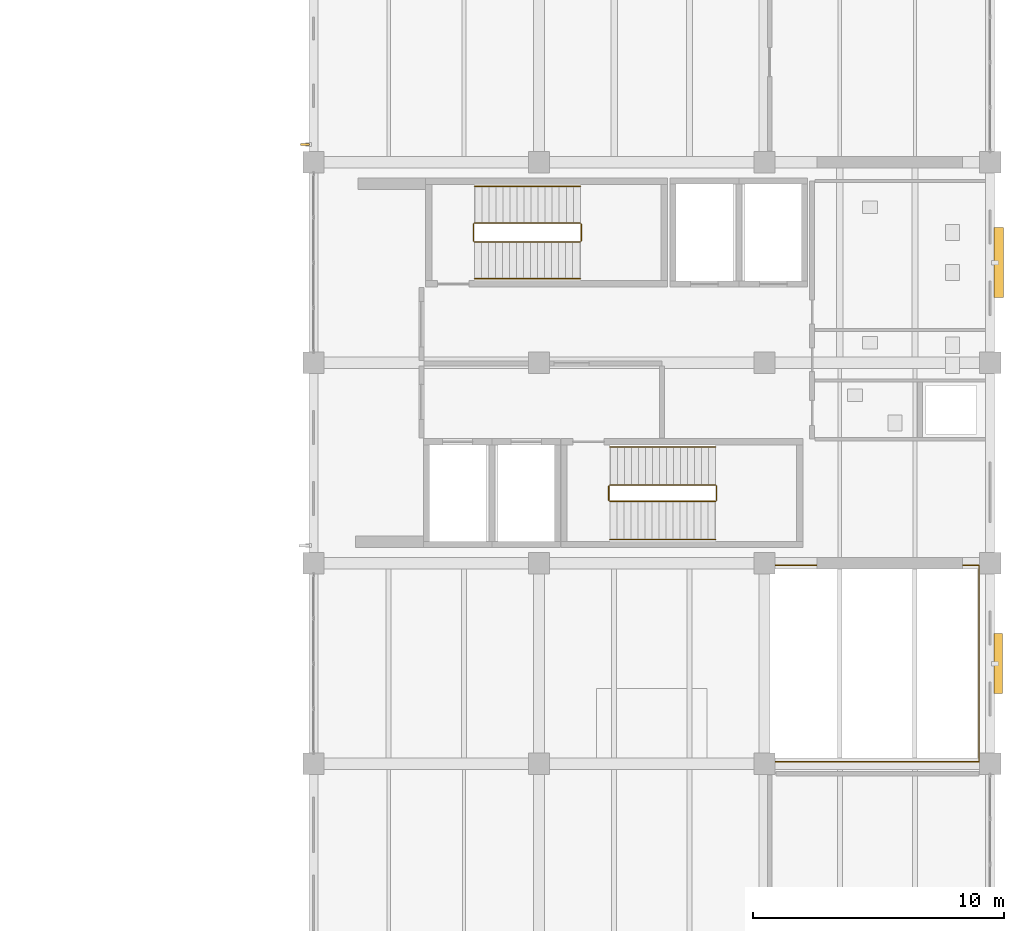
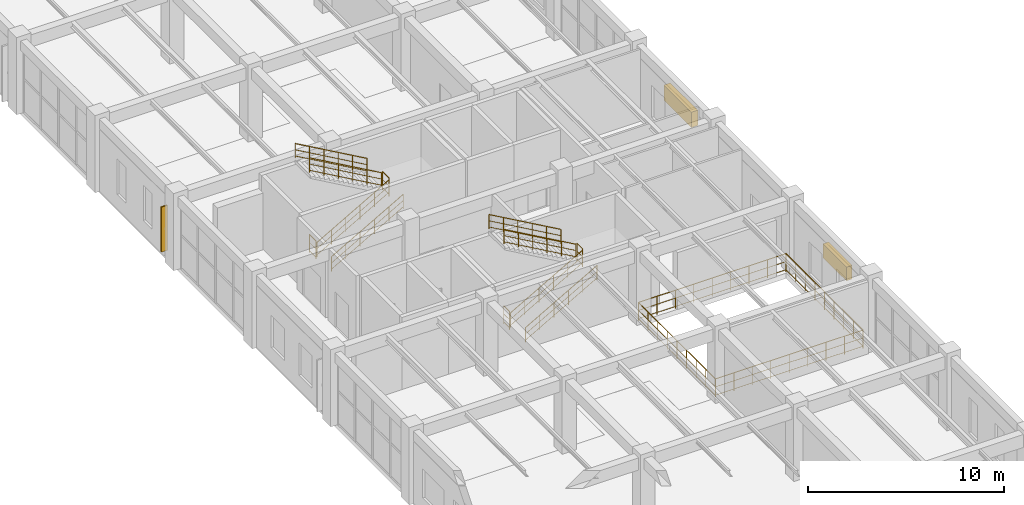
# One storey, part 176 of 178: 13 railings, 3 shading devices.
"""IFC4 building model written with IfcOpenShell, lengths in metres."""

from ifc_helpers import new_model, si_unit, derived_unit, direction, frame, origin, origin_2d, place, context, subcontext, project, spatial, rectangle, circle, extrude, material, layer, layer_set, type_object, element, save


model = new_model("IFC4")

# Units and contexts
model_context = context("Model", 3, precision=1e-05, world=origin(), true_north=direction((0.0, 1.0)))
body_context = subcontext(model_context, "Body", "Model", "MODEL_VIEW")
ifc_project = project(units=[si_unit("LENGTHUNIT", "METRE"), si_unit("AREAUNIT", "SQUARE_METRE"), si_unit("VOLUMEUNIT", "CUBIC_METRE"), si_unit("PLANEANGLEUNIT", "RADIAN"), si_unit("MASSUNIT", "GRAM", prefix="KILO"), derived_unit("THERMALTRANSMITTANCEUNIT", [(si_unit("MASSUNIT", "GRAM", prefix="KILO"), 1), (si_unit("TIMEUNIT", "SECOND"), -3), (si_unit("THERMODYNAMICTEMPERATUREUNIT", "KELVIN"), -1)])], contexts=[model_context])

# Site, building, storey
site_placement = place(None, origin())
site = spatial("IfcSite", under=ifc_project, at=site_placement, CompositionType="ELEMENT")
building_placement = place(site_placement, origin())
building = spatial("IfcBuilding", under=site, at=building_placement, Name="Zhenchuan Archway Interchange", CompositionType="ELEMENT")
storey_placement = place(building_placement, frame((0.0, 0.0, 5.39990234375)))
storey = spatial("IfcBuildingStorey", under=building, at=storey_placement, Name="L01", CompositionType="ELEMENT", Elevation=5.39990234375)

# Railings
ifc_material_1 = material(Name="Stainless Steel 316", Category="steel")
ifc_layer = layer(ifc_material_1, 0.070068359375)
ifc_layer_set = layer_set([ifc_layer], Name="Stainless Steel 316")
railing_type_1 = type_object("IfcRailingType", Name="RL_BALUSTRADE_1150", PredefinedType="BALUSTRADE", material=ifc_layer_set)
railing_placement = place(storey_placement, frame((170.56005859375, 40.080078125, 0.0)))
element("IfcRailing", 1, at=railing_placement, inside=storey, type_object=railing_type_1, Name="East operations lobby mezzanine balustrade L01", PredefinedType="BALUSTRADE", context=body_context, shape_type="SweptSolid", body=[
    extrude(circle(Radius=0.02392578125, at=origin_2d()), frame((0.0, 0.0, 1.1259765625), z_axis=(-1.0, 0.0, 0.0), x_axis=(0.0, -1.0, 0.0)), (0.0, 0.0, 1.0), 8.68017578125),
    extrude(circle(Radius=0.01611328125, at=origin_2d()), frame((0.0, 0.0, 0.63232421875), z_axis=(-1.0, 0.0, 0.0), x_axis=(0.0, -1.0, 0.0)), (0.0, 0.0, 1.0), 8.68017578125),
    extrude(circle(Radius=0.01611328125, at=origin_2d()), frame((0.0, 0.0, 0.1201171875), z_axis=(-1.0, 0.0, 0.0), x_axis=(0.0, -1.0, 0.0)), (0.0, 0.0, 1.0), 8.68017578125),
    extrude(circle(Radius=0.02392578125, at=origin_2d()), frame((-8.68017578125, 0.0, 1.1259765625), z_axis=(0.0, 1.0, 0.0), x_axis=(-1.0, 0.0, 0.0)), (0.0, 0.0, 1.0), 7.83984375),
    extrude(circle(Radius=0.01611328125, at=origin_2d()), frame((-8.68017578125, 0.0, 0.63232421875), z_axis=(0.0, 1.0, 0.0), x_axis=(-1.0, 0.0, 0.0)), (0.0, 0.0, 1.0), 7.83984375),
    extrude(circle(Radius=0.01611328125, at=origin_2d()), frame((-8.68017578125, 0.0, 0.1201171875), z_axis=(0.0, 1.0, 0.0), x_axis=(-1.0, 0.0, 0.0)), (0.0, 0.0, 1.0), 7.83984375),
    extrude(circle(Radius=0.02392578125, at=origin_2d()), frame((-8.68017578125, 7.83984375, 1.1259765625), z_axis=(1.0, 0.0, 0.0), x_axis=(0.0, 1.0, 0.0)), (0.0, 0.0, 1.0), 8.68017578125),
    extrude(circle(Radius=0.01611328125, at=origin_2d()), frame((-8.68017578125, 7.83984375, 0.63232421875), z_axis=(1.0, 0.0, 0.0), x_axis=(0.0, 1.0, 0.0)), (0.0, 0.0, 1.0), 8.68017578125),
    extrude(circle(Radius=0.01611328125, at=origin_2d()), frame((-8.68017578125, 7.83984375, 0.1201171875), z_axis=(1.0, 0.0, 0.0), x_axis=(0.0, 1.0, 0.0)), (0.0, 0.0, 1.0), 8.68017578125),
    extrude(circle(Radius=0.02392578125, at=origin_2d()), frame((0.0, 7.83984375, 1.1259765625), z_axis=(0.0, -1.0, 0.0), x_axis=(1.0, 0.0, 0.0)), (0.0, 0.0, 1.0), 7.83984375),
    extrude(circle(Radius=0.01611328125, at=origin_2d()), frame((0.0, 7.83984375, 0.63232421875), z_axis=(0.0, -1.0, 0.0), x_axis=(1.0, 0.0, 0.0)), (0.0, 0.0, 1.0), 7.83984375),
    extrude(circle(Radius=0.01611328125, at=origin_2d()), frame((0.0, 7.83984375, 0.1201171875), z_axis=(0.0, -1.0, 0.0), x_axis=(1.0, 0.0, 0.0)), (0.0, 0.0, 1.0), 7.83984375),
    extrude(circle(Radius=0.02099609375, at=origin_2d()), origin(), (0.0, 0.0, 1.0), 1.1259765625),
    extrude(circle(Radius=0.02099609375, at=origin_2d()), frame((-1.0849609375, 0.0, 0.0)), (0.0, 0.0, 1.0), 1.1259765625),
    extrude(circle(Radius=0.02099609375, at=origin_2d()), frame((-2.169921875, 0.0, 0.0)), (0.0, 0.0, 1.0), 1.1259765625),
    extrude(circle(Radius=0.02099609375, at=origin_2d()), frame((-3.255126953125, 0.0, 0.0)), (0.0, 0.0, 1.0), 1.1259765625),
    extrude(circle(Radius=0.02099609375, at=origin_2d()), frame((-4.340087890625, 0.0, 0.0)), (0.0, 0.0, 1.0), 1.1259765625),
    extrude(circle(Radius=0.02099609375, at=origin_2d()), frame((-5.425048828125, 0.0, 0.0)), (0.0, 0.0, 1.0), 1.1259765625),
    extrude(circle(Radius=0.02099609375, at=origin_2d()), frame((-6.51025390625, 0.0, 0.0)), (0.0, 0.0, 1.0), 1.1259765625),
    extrude(circle(Radius=0.02099609375, at=origin_2d()), frame((-7.59521484375, 0.0, 0.0)), (0.0, 0.0, 1.0), 1.1259765625),
    extrude(circle(Radius=0.02099609375, at=origin_2d()), frame((-8.68017578125, 0.0, 0.0)), (0.0, 0.0, 1.0), 1.1259765625),
    extrude(circle(Radius=0.02099609375, at=origin_2d()), frame((-8.68017578125, 0.97998046875, 0.0)), (0.0, 0.0, 1.0), 1.1259765625),
    extrude(circle(Radius=0.02099609375, at=origin_2d()), frame((-8.68017578125, 1.9599609375, 0.0)), (0.0, 0.0, 1.0), 1.1259765625),
    extrude(circle(Radius=0.02099609375, at=origin_2d()), frame((-8.68017578125, 2.93994140625, 0.0)), (0.0, 0.0, 1.0), 1.1259765625),
    extrude(circle(Radius=0.02099609375, at=origin_2d()), frame((-8.68017578125, 3.919921875, 0.0)), (0.0, 0.0, 1.0), 1.1259765625),
    extrude(circle(Radius=0.02099609375, at=origin_2d()), frame((-8.68017578125, 4.89990234375, 0.0)), (0.0, 0.0, 1.0), 1.1259765625),
    extrude(circle(Radius=0.02099609375, at=origin_2d()), frame((-8.68017578125, 5.8798828125, 0.0)), (0.0, 0.0, 1.0), 1.1259765625),
    extrude(circle(Radius=0.02099609375, at=origin_2d()), frame((-8.68017578125, 6.85986328125, 0.0)), (0.0, 0.0, 1.0), 1.1259765625),
    extrude(circle(Radius=0.02099609375, at=origin_2d()), frame((-8.68017578125, 7.83984375, 0.0)), (0.0, 0.0, 1.0), 1.1259765625),
    extrude(circle(Radius=0.02099609375, at=origin_2d()), frame((-7.59521484375, 7.83984375, 0.0)), (0.0, 0.0, 1.0), 1.1259765625),
    extrude(circle(Radius=0.02099609375, at=origin_2d()), frame((-6.51025390625, 7.83984375, 0.0)), (0.0, 0.0, 1.0), 1.1259765625),
    extrude(circle(Radius=0.02099609375, at=origin_2d()), frame((-5.425048828125, 7.83984375, 0.0)), (0.0, 0.0, 1.0), 1.1259765625),
    extrude(circle(Radius=0.02099609375, at=origin_2d()), frame((-4.340087890625, 7.83984375, 0.0)), (0.0, 0.0, 1.0), 1.1259765625),
    extrude(circle(Radius=0.02099609375, at=origin_2d()), frame((-3.255126953125, 7.83984375, 0.0)), (0.0, 0.0, 1.0), 1.1259765625),
    extrude(circle(Radius=0.02099609375, at=origin_2d()), frame((-2.169921875, 7.83984375, 0.0)), (0.0, 0.0, 1.0), 1.1259765625),
    extrude(circle(Radius=0.02099609375, at=origin_2d()), frame((-1.0849609375, 7.83984375, 0.0)), (0.0, 0.0, 1.0), 1.1259765625),
    extrude(circle(Radius=0.02099609375, at=origin_2d()), frame((0.0, 7.83984375, 0.0)), (0.0, 0.0, 1.0), 1.1259765625),
    extrude(circle(Radius=0.02099609375, at=origin_2d()), frame((0.0, 6.85986328125, 0.0)), (0.0, 0.0, 1.0), 1.1259765625),
    extrude(circle(Radius=0.02099609375, at=origin_2d()), frame((0.0, 5.8798828125, 0.0)), (0.0, 0.0, 1.0), 1.1259765625),
    extrude(circle(Radius=0.02099609375, at=origin_2d()), frame((0.0, 4.89990234375, 0.0)), (0.0, 0.0, 1.0), 1.1259765625),
    extrude(circle(Radius=0.02099609375, at=origin_2d()), frame((0.0, 3.919921875, 0.0)), (0.0, 0.0, 1.0), 1.1259765625),
    extrude(circle(Radius=0.02099609375, at=origin_2d()), frame((0.0, 2.93994140625, 0.0)), (0.0, 0.0, 1.0), 1.1259765625),
    extrude(circle(Radius=0.02099609375, at=origin_2d()), frame((0.0, 1.9599609375, 0.0)), (0.0, 0.0, 1.0), 1.1259765625),
    extrude(circle(Radius=0.02099609375, at=origin_2d()), frame((0.0, 0.97998046875, 0.0)), (0.0, 0.0, 1.0), 1.1259765625),
])
ifc_material_2 = material(Name="Painted Galvanised Steel", Category="steel")
railing_type_2 = type_object("IfcRailingType", Name="RL_GUARD_1150", PredefinedType="GUARDRAIL", material=ifc_material_2)
for number, where, name in (
    (2, (154.68505859375, 60.864990234375, 2.400146484375), "Stair ST-O1 half-landing slot guard (L01)"),
    (3, (150.385009765625, 60.864990234375, 0.0), "Stair ST-O1 floor well guard (L01)"),
):
    element("IfcRailing", number, at=place(storey_placement, frame(where)), inside=storey, type_object=railing_type_2, Name=name, PredefinedType="GUARDRAIL", context=body_context, shape_type="SweptSolid", body=[
        extrude(circle(Radius=0.02392578125, at=origin_2d()), frame((0.0, 0.0, 1.1259765625), z_axis=(0.0, 1.0, 0.0), x_axis=(-1.0, 0.0, 0.0)), (0.0, 0.0, 1.0), 0.669921875),
        extrude(circle(Radius=0.01611328125, at=origin_2d()), frame((0.0, 0.0, 0.63232421875), z_axis=(0.0, 1.0, 0.0), x_axis=(-1.0, 0.0, 0.0)), (0.0, 0.0, 1.0), 0.669921875),
        extrude(circle(Radius=0.01611328125, at=origin_2d()), frame((0.0, 0.0, 0.1201171875), z_axis=(0.0, 1.0, 0.0), x_axis=(-1.0, 0.0, 0.0)), (0.0, 0.0, 1.0), 0.669921875),
        extrude(circle(Radius=0.02099609375, at=origin_2d()), origin(), (0.0, 0.0, 1.0), 1.1259765625),
        extrude(circle(Radius=0.02099609375, at=origin_2d()), frame((0.0, 0.669921875, 0.0)), (0.0, 0.0, 1.0), 1.1259765625),
    ])
for number, where, name in (
    (4, (160.0849609375, 50.514892578125, 2.400146484375), "Stair ST-O2 half-landing slot guard (L01)"),
    (5, (155.784912109375, 50.514892578125, 0.0), "Stair ST-O2 floor well guard (L01)"),
):
    element("IfcRailing", number, at=place(storey_placement, frame(where)), inside=storey, type_object=railing_type_2, Name=name, PredefinedType="GUARDRAIL", context=body_context, shape_type="SweptSolid", body=[
        extrude(circle(Radius=0.02392578125, at=origin_2d()), frame((0.0, 0.0, 1.1259765625), z_axis=(0.0, 1.0, 0.0), x_axis=(-1.0, 0.0, 0.0)), (0.0, 0.0, 1.0), 0.570068359375),
        extrude(circle(Radius=0.01611328125, at=origin_2d()), frame((0.0, 0.0, 0.63232421875), z_axis=(0.0, 1.0, 0.0), x_axis=(-1.0, 0.0, 0.0)), (0.0, 0.0, 1.0), 0.570068359375),
        extrude(circle(Radius=0.01611328125, at=origin_2d()), frame((0.0, 0.0, 0.1201171875), z_axis=(0.0, 1.0, 0.0), x_axis=(-1.0, 0.0, 0.0)), (0.0, 0.0, 1.0), 0.570068359375),
        extrude(circle(Radius=0.02099609375, at=origin_2d()), origin(), (0.0, 0.0, 1.0), 1.1259765625),
        extrude(circle(Radius=0.02099609375, at=origin_2d()), frame((0.0, 0.570068359375, 0.0)), (0.0, 0.0, 1.0), 1.1259765625),
    ])
ifc_material_3 = material(Name="Stainless Steel 304", Category="steel")
railing_type_3 = type_object("IfcRailingType", Name="RL_HAND_920", PredefinedType="HANDRAIL", material=ifc_material_3)
for number, where, name in (
    (6, (150.425048828125, 59.35498046875, 0.150146484375), "Stair ST-O1 handrail 1 (L01)"),
    (7, (150.425048828125, 60.824951171875, 0.150146484375), "Stair ST-O1 handrail 2 (L01)"),
):
    element("IfcRailing", number, at=place(storey_placement, frame(where)), inside=storey, type_object=railing_type_3, Name=name, PredefinedType="HANDRAIL", context=body_context, shape_type="SweptSolid", body=[
        extrude(circle(Radius=0.02392578125, at=origin_2d()), frame((0.0, 0.0, 0.89599609375), z_axis=(0.869262576428, 0.0, 0.494350658159), x_axis=(0.0, 1.0, 0.0)), (0.0, 0.0, 1.0), 4.854736328125),
        extrude(circle(Radius=0.01611328125, at=origin_2d()), frame((0.0, 0.0, 0.505859375), z_axis=(0.869262576428, 0.0, 0.494350658159), x_axis=(0.0, 1.0, 0.0)), (0.0, 0.0, 1.0), 4.854736328125),
        extrude(circle(Radius=0.01611328125, at=origin_2d()), frame((0.0, 0.0, 0.1201171875), z_axis=(0.869262576428, 0.0, 0.494350658159), x_axis=(0.0, 1.0, 0.0)), (0.0, 0.0, 1.0), 4.854736328125),
        extrude(circle(Radius=0.02099609375, at=origin_2d()), origin(), (0.0, 0.0, 1.0), 0.89599609375),
        extrude(circle(Radius=0.02099609375, at=origin_2d()), frame((0.843994140625, 0.0, 0.47998046875)), (0.0, 0.0, 1.0), 0.89599609375),
        extrude(circle(Radius=0.02099609375, at=origin_2d()), frame((1.68798828125, 0.0, 0.9599609375)), (0.0, 0.0, 1.0), 0.89599609375),
        extrude(circle(Radius=0.02099609375, at=origin_2d()), frame((2.531982421875, 0.0, 1.43994140625)), (0.0, 0.0, 1.0), 0.89599609375),
        extrude(circle(Radius=0.02099609375, at=origin_2d()), frame((3.3759765625, 0.0, 1.919921875)), (0.0, 0.0, 1.0), 0.89599609375),
        extrude(circle(Radius=0.02099609375, at=origin_2d()), frame((4.219970703125, 0.0, 2.39990234375)), (0.0, 0.0, 1.0), 0.89599609375),
    ])
for number, where, name in (
    (8, (154.64501953125, 61.574951171875, 2.550048828125), "Stair ST-O1 handrail 3 (L01)"),
    (9, (154.64501953125, 63.044921875, 2.550048828125), "Stair ST-O1 handrail 4 (L01)"),
):
    element("IfcRailing", number, at=place(storey_placement, frame(where)), inside=storey, type_object=railing_type_3, Name=name, PredefinedType="HANDRAIL", context=body_context, shape_type="SweptSolid", body=[
        extrude(circle(Radius=0.02392578125, at=origin_2d()), frame((0.0, 0.0, 0.89599609375), z_axis=(-0.869240965491, 0.0, 0.494388656739), x_axis=(0.0, -1.0, 0.0)), (0.0, 0.0, 1.0), 4.854736328125),
        extrude(circle(Radius=0.01611328125, at=origin_2d()), frame((0.0, 0.0, 0.505859375), z_axis=(-0.869240965491, 0.0, 0.494388656739), x_axis=(0.0, -1.0, 0.0)), (0.0, 0.0, 1.0), 4.854736328125),
        extrude(circle(Radius=0.01611328125, at=origin_2d()), frame((0.0, 0.0, 0.1201171875), z_axis=(-0.869240965491, 0.0, 0.494388656739), x_axis=(0.0, -1.0, 0.0)), (0.0, 0.0, 1.0), 4.854736328125),
        extrude(circle(Radius=0.02099609375, at=origin_2d()), origin(), (0.0, 0.0, 1.0), 0.89599609375),
        extrude(circle(Radius=0.02099609375, at=origin_2d()), frame((-0.843994140625, 0.0, 0.47998046875)), (0.0, 0.0, 1.0), 0.89599609375),
        extrude(circle(Radius=0.02099609375, at=origin_2d()), frame((-1.68798828125, 0.0, 0.9599609375)), (0.0, 0.0, 1.0), 0.89599609375),
        extrude(circle(Radius=0.02099609375, at=origin_2d()), frame((-2.531982421875, 0.0, 1.440185546875)), (0.0, 0.0, 1.0), 0.89599609375),
        extrude(circle(Radius=0.02099609375, at=origin_2d()), frame((-3.3759765625, 0.0, 1.920166015625)), (0.0, 0.0, 1.0), 0.89599609375),
        extrude(circle(Radius=0.02099609375, at=origin_2d()), frame((-4.219970703125, 0.0, 2.400146484375)), (0.0, 0.0, 1.0), 0.89599609375),
    ])
for number, where, name in (
    (10, (155.824951171875, 48.955078125, 0.150146484375), "Stair ST-O2 handrail 1 (L01)"),
    (11, (155.824951171875, 50.47509765625, 0.150146484375), "Stair ST-O2 handrail 2 (L01)"),
):
    element("IfcRailing", number, at=place(storey_placement, frame(where)), inside=storey, type_object=railing_type_3, Name=name, PredefinedType="HANDRAIL", context=body_context, shape_type="SweptSolid", body=[
        extrude(circle(Radius=0.02392578125, at=origin_2d()), frame((0.0, 0.0, 0.89599609375), z_axis=(0.869262576428, 0.0, 0.494350658159), x_axis=(0.0, 1.0, 0.0)), (0.0, 0.0, 1.0), 4.854736328125),
        extrude(circle(Radius=0.01611328125, at=origin_2d()), frame((0.0, 0.0, 0.505859375), z_axis=(0.869262576428, 0.0, 0.494350658159), x_axis=(0.0, 1.0, 0.0)), (0.0, 0.0, 1.0), 4.854736328125),
        extrude(circle(Radius=0.01611328125, at=origin_2d()), frame((0.0, 0.0, 0.1201171875), z_axis=(0.869262576428, 0.0, 0.494350658159), x_axis=(0.0, 1.0, 0.0)), (0.0, 0.0, 1.0), 4.854736328125),
        extrude(circle(Radius=0.02099609375, at=origin_2d()), origin(), (0.0, 0.0, 1.0), 0.89599609375),
        extrude(circle(Radius=0.02099609375, at=origin_2d()), frame((0.843994140625, 0.0, 0.47998046875)), (0.0, 0.0, 1.0), 0.89599609375),
        extrude(circle(Radius=0.02099609375, at=origin_2d()), frame((1.68798828125, 0.0, 0.9599609375)), (0.0, 0.0, 1.0), 0.89599609375),
        extrude(circle(Radius=0.02099609375, at=origin_2d()), frame((2.531982421875, 0.0, 1.43994140625)), (0.0, 0.0, 1.0), 0.89599609375),
        extrude(circle(Radius=0.02099609375, at=origin_2d()), frame((3.3759765625, 0.0, 1.919921875)), (0.0, 0.0, 1.0), 0.89599609375),
        extrude(circle(Radius=0.02099609375, at=origin_2d()), frame((4.219970703125, 0.0, 2.39990234375)), (0.0, 0.0, 1.0), 0.89599609375),
    ])
for number, where, name in (
    (12, (160.044921875, 51.125, 2.550048828125), "Stair ST-O2 handrail 3 (L01)"),
    (13, (160.044921875, 52.64501953125, 2.550048828125), "Stair ST-O2 handrail 4 (L01)"),
):
    element("IfcRailing", number, at=place(storey_placement, frame(where)), inside=storey, type_object=railing_type_3, Name=name, PredefinedType="HANDRAIL", context=body_context, shape_type="SweptSolid", body=[
        extrude(circle(Radius=0.02392578125, at=origin_2d()), frame((0.0, 0.0, 0.89599609375), z_axis=(-0.869240965491, 0.0, 0.494388656739), x_axis=(0.0, -1.0, 0.0)), (0.0, 0.0, 1.0), 4.854736328125),
        extrude(circle(Radius=0.01611328125, at=origin_2d()), frame((0.0, 0.0, 0.505859375), z_axis=(-0.869240965491, 0.0, 0.494388656739), x_axis=(0.0, -1.0, 0.0)), (0.0, 0.0, 1.0), 4.854736328125),
        extrude(circle(Radius=0.01611328125, at=origin_2d()), frame((0.0, 0.0, 0.1201171875), z_axis=(-0.869240965491, 0.0, 0.494388656739), x_axis=(0.0, -1.0, 0.0)), (0.0, 0.0, 1.0), 4.854736328125),
        extrude(circle(Radius=0.02099609375, at=origin_2d()), origin(), (0.0, 0.0, 1.0), 0.89599609375),
        extrude(circle(Radius=0.02099609375, at=origin_2d()), frame((-0.843994140625, 0.0, 0.47998046875)), (0.0, 0.0, 1.0), 0.89599609375),
        extrude(circle(Radius=0.02099609375, at=origin_2d()), frame((-1.68798828125, 0.0, 0.9599609375)), (0.0, 0.0, 1.0), 0.89599609375),
        extrude(circle(Radius=0.02099609375, at=origin_2d()), frame((-2.531982421875, 0.0, 1.440185546875)), (0.0, 0.0, 1.0), 0.89599609375),
        extrude(circle(Radius=0.02099609375, at=origin_2d()), frame((-3.3759765625, 0.0, 1.920166015625)), (0.0, 0.0, 1.0), 0.89599609375),
        extrude(circle(Radius=0.02099609375, at=origin_2d()), frame((-4.219970703125, 0.0, 2.400146484375)), (0.0, 0.0, 1.0), 0.89599609375),
    ])

# Shading devices
ifc_material_4 = material(Name="Terracotta Ceramic", Category="masonry")
shading_device_type_1 = type_object("IfcShadingDeviceType", Name="SHD_FIN_2", PredefinedType="USERDEFINED", material=ifc_material_4)
shading_device_1_placement = place(storey_placement, frame((143.666015625, 64.702880859375, 0.5302734375), z_axis=(0.0, 0.0, 1.0), x_axis=(0.0, 1.0, 0.0)))
element("IfcShadingDevice", 14, at=shading_device_1_placement, inside=storey, type_object=shading_device_type_1, Name="Terracotta vertical solar fin L01-058", ObjectType="FINS", PredefinedType="USERDEFINED", context=body_context, shape_type="SweptSolid", body=[
    extrude(rectangle(XDim=0.080078125, YDim=0.360107421875, at=origin_2d()), origin(), (0.0, 0.0, 1.0), 2.800048828125),
])
ifc_material_5 = material(Name="Anodised Aluminium", Category="aluminium")
shading_device_type_2 = type_object("IfcShadingDeviceType", Name="SHD_LOUVRE_1", PredefinedType="JALOUSIE", material=ifc_material_5)
shading_device_2_placement = place(storey_placement, frame((171.343994140625, 60.0, 2.27490234375), z_axis=(0.0, 0.0, 1.0), x_axis=(0.0, -1.0, 0.0)))
element("IfcShadingDevice", 15, at=shading_device_2_placement, inside=storey, type_object=shading_device_type_2, Name="Monsoon storm-louvre jalousie L01-042", PredefinedType="JALOUSIE", context=body_context, shape_type="SweptSolid", body=[
    extrude(rectangle(XDim=2.800048828125, YDim=0.3798828125, at=origin_2d()), origin(), (0.0, 0.0, 1.0), 0.949951171875),
])
shading_device_type_3 = type_object("IfcShadingDeviceType", Name="SHD_LOUVRE_2", PredefinedType="JALOUSIE", material=ifc_material_5)
shading_device_3_placement = place(storey_placement, frame((171.323974609375, 44.0, 2.324951171875), z_axis=(0.0, 0.0, 1.0), x_axis=(0.0, -1.0, 0.0)))
element("IfcShadingDevice", 16, at=shading_device_3_placement, inside=storey, type_object=shading_device_type_3, Name="Monsoon storm-louvre jalousie L01-043", PredefinedType="JALOUSIE", context=body_context, shape_type="SweptSolid", body=[
    extrude(rectangle(XDim=2.39990234375, YDim=0.340087890625, at=origin_2d()), origin(), (0.0, 0.0, 1.0), 0.85009765625),
])

save(model, "model.ifc")
